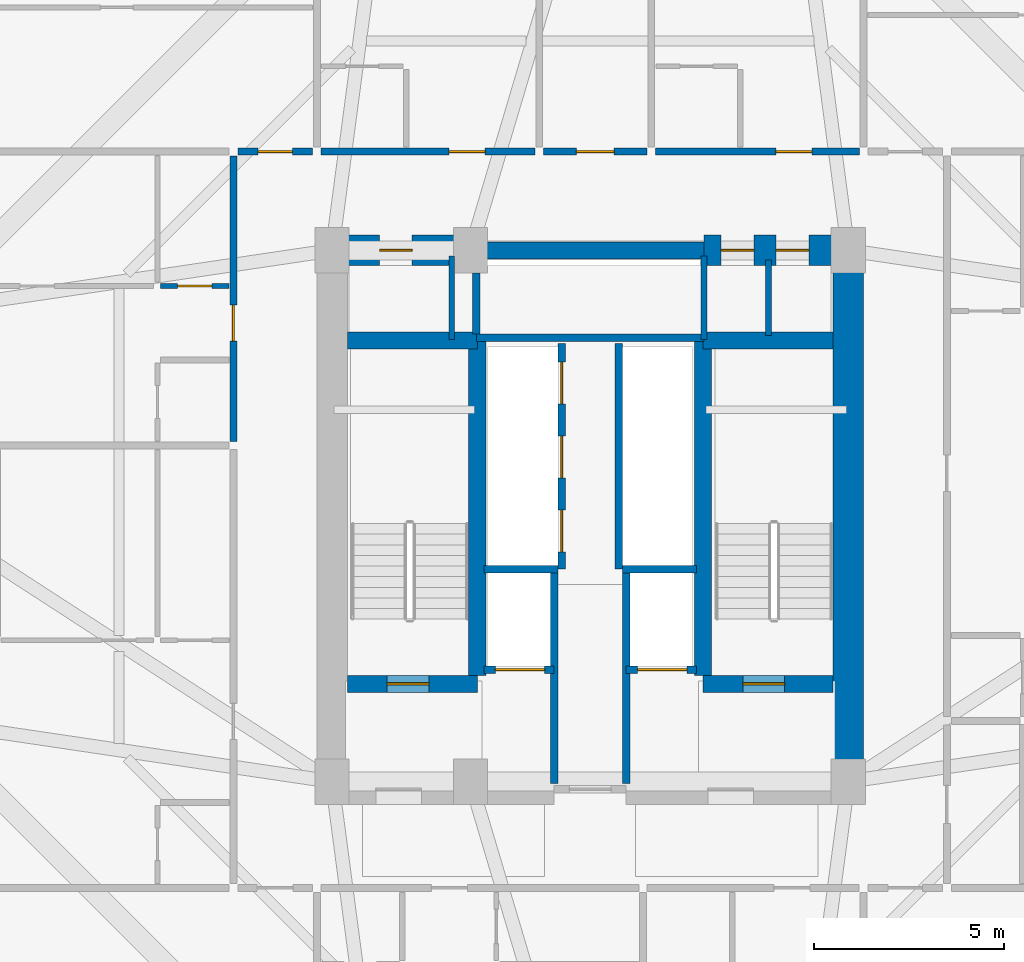
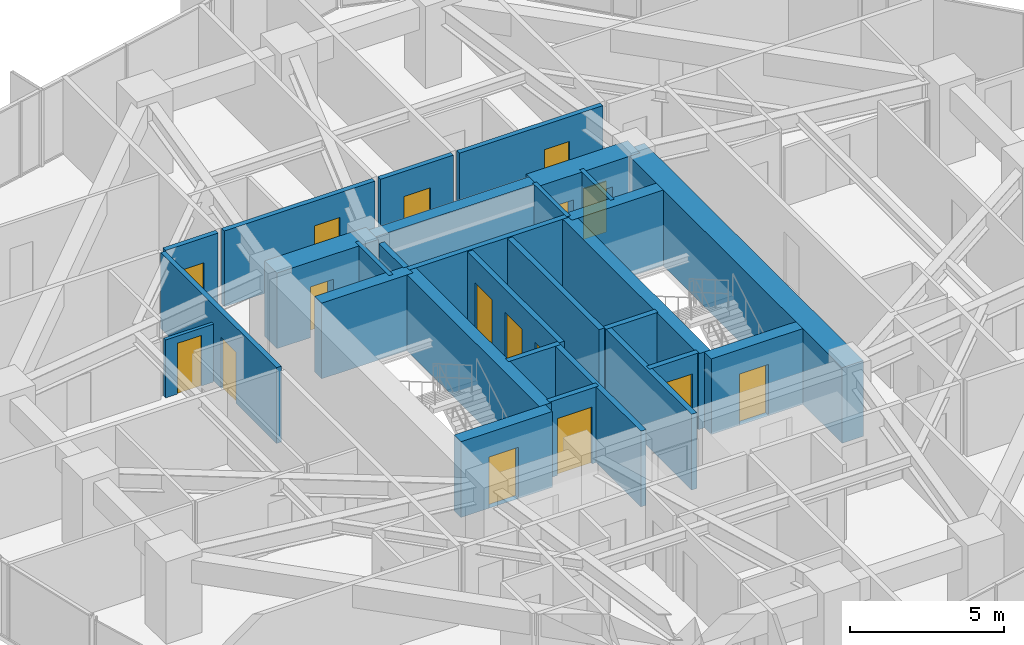
# One storey, part 35 of 39: 29 walls, 16 doors, 16 openings.
"""IFC4 building model written with IfcOpenShell, lengths in metres."""

import ifcopenshell
import ifcopenshell.guid

model = None  # the IFC model being written
_history = None  # IfcOwnerHistory: only IFC2X3 demands one
_inside = {}  # id of a spatial element -> (the spatial element, [elements in it])
_under = {}  # id of a project, library or spatial element -> (it, [spatial elements below it])
_declared = {}  # id of a project -> (the project, [libraries it declares])
_typed = {}  # id of a type object -> (the type object, [elements of that type])
_made_of = {}  # id of a material, layer set ... -> (it, [elements and type objects made of it])


def new_model(schema):
    """Start an empty IFC model of exactly this schema.

    Asked for "IFC4X3", IfcOpenShell would pick the latest addendum, in which some entities
    have other attributes; the version numbers below select the first issue.
    IFC2X3 requires an IfcOwnerHistory on every rooted entity: one is made here for all.
    """
    global model, _history
    if schema == "IFC4X3":
        model = ifcopenshell.file(schema_version=(4, 3, 0, 0))
    else:
        model = ifcopenshell.file(schema=schema)
    _inside.clear()
    _under.clear()
    _declared.clear()
    _typed.clear()
    _made_of.clear()
    _history = None
    if model.schema == "IFC2X3":
        org = make("IfcOrganization", Name="unknown")
        user = make(
            "IfcPersonAndOrganization",
            ThePerson=make("IfcPerson", FamilyName="unknown"),
            TheOrganization=org,
        )
        app = make(
            "IfcApplication",
            ApplicationDeveloper=org,
            Version="unknown",
            ApplicationFullName="unknown",
            ApplicationIdentifier="unknown",
        )
        _history = make(
            "IfcOwnerHistory",
            OwningUser=user,
            OwningApplication=app,
            ChangeAction="ADDED",
            CreationDate=0,
        )
    return model


def make(cls, **values):
    """One entity of the class cls with the attributes given. An attribute that is None is left unset."""
    return model.create_entity(
        cls, **{name: value for name, value in values.items() if value is not None}
    )


def rooted(cls, **values):
    """An entity with a GlobalId (a new one), such as an element, a storey or a relation."""
    return make(cls, GlobalId=ifcopenshell.guid.new(), OwnerHistory=_history, **values)


def si_unit(unit_type, name, prefix=None):
    """IfcSIUnit, for example si_unit("LENGTHUNIT", "METRE", prefix="MILLI")."""
    return make("IfcSIUnit", UnitType=unit_type, Prefix=prefix, Name=name)


def assignment(units):
    """IfcUnitAssignment: the units of a project."""
    return None if units is None else make("IfcUnitAssignment", Units=units)


def point(xyz):
    """IfcCartesianPoint."""
    return None if xyz is None else make("IfcCartesianPoint", Coordinates=xyz)


def direction(xyz):
    """IfcDirection."""
    return None if xyz is None else make("IfcDirection", DirectionRatios=xyz)


def frame(location, z_axis=None, x_axis=None):
    """IfcAxis2Placement3D, a coordinate frame: its origin and axes. An axis left out is left unset."""
    return make(
        "IfcAxis2Placement3D",
        Location=point(location),
        Axis=direction(z_axis),
        RefDirection=direction(x_axis),
    )


def frame_2d(location, x_axis=None):
    """IfcAxis2Placement2D, a coordinate frame in the plane: its origin and x axis."""
    return make(
        "IfcAxis2Placement2D", Location=point(location), RefDirection=direction(x_axis)
    )


def origin():
    """The frame at (0, 0, 0) with its axes left unset."""
    return frame((0.0, 0.0, 0.0))


def place(relative_to, where):
    """IfcLocalPlacement: puts the frame where relative to a parent placement (None: the world)."""
    return make(
        "IfcLocalPlacement", PlacementRelTo=relative_to, RelativePlacement=where
    )


def context(
    kind, dimensions, precision=None, world=None, true_north=None, identifier=None
):
    """IfcGeometricRepresentationContext, for example the 3D "Model" context."""
    return make(
        "IfcGeometricRepresentationContext",
        ContextIdentifier=identifier,
        ContextType=kind,
        CoordinateSpaceDimension=dimensions,
        Precision=precision,
        WorldCoordinateSystem=world,
        TrueNorth=true_north,
    )


def subcontext(parent, identifier, kind, view, scale=None):
    """IfcGeometricRepresentationSubContext, for example "Body" below "Model"."""
    return make(
        "IfcGeometricRepresentationSubContext",
        ContextIdentifier=identifier,
        ContextType=kind,
        ParentContext=parent,
        TargetScale=scale,
        TargetView=view,
    )


def project(units=None, contexts=None):
    """IfcProject with its units and contexts."""
    return rooted(
        "IfcProject",
        Name="project",
        RepresentationContexts=contexts,
        UnitsInContext=assignment(units),
    )


def spatial(cls, under=None, at=None, **own):
    """A site, building, storey or space (cls), placed at a placement, below another one or the project."""
    s = rooted(cls, ObjectPlacement=at, **own)
    if under is not None:
        _under.setdefault(under.id(), (under, []))[1].append(s)
    return s


def profile(cls, at=None, kind="AREA", **sizes):
    """A parametric profile (cls). Its sizes go by their IFC names, for example OverallWidth=200.0."""
    return make(cls, ProfileType=kind, Position=at, **sizes)


def rectangle(**sizes):
    """IfcRectangleProfileDef."""
    return profile("IfcRectangleProfileDef", **sizes)


def extrude(swept, where, along, depth):
    """IfcExtrudedAreaSolid: the profile swept, set in the frame where, extruded along a direction by depth."""
    return make(
        "IfcExtrudedAreaSolid",
        SweptArea=swept,
        Position=where,
        ExtrudedDirection=direction(along),
        Depth=depth,
    )


def shape(context_of_items, identifier, shape_type, items):
    """IfcShapeRepresentation: the items that make up one representation, for example the "Body"."""
    return make(
        "IfcShapeRepresentation",
        ContextOfItems=context_of_items,
        RepresentationIdentifier=identifier,
        RepresentationType=shape_type,
        Items=items,
    )


def source(mapping_origin, context_of_items, identifier, shape_type, items):
    """IfcRepresentationMap: a shape defined once, which mapped items show again and again."""
    return make(
        "IfcRepresentationMap",
        MappingOrigin=mapping_origin,
        MappedRepresentation=shape(context_of_items, identifier, shape_type, items),
    )


def transform(
    local_origin,
    x_axis=None,
    y_axis=None,
    z_axis=None,
    scale=None,
    scale2=None,
    scale3=None,
    uniform=True,
):
    """IfcCartesianTransformationOperator3D, or its non-uniform kind. x_axis, y_axis, z_axis: its Axis1, 2, 3."""
    if uniform:
        return make(
            "IfcCartesianTransformationOperator3D",
            Axis1=direction(x_axis),
            Axis2=direction(y_axis),
            LocalOrigin=point(local_origin),
            Scale=scale,
            Axis3=direction(z_axis),
        )
    return make(
        "IfcCartesianTransformationOperator3DnonUniform",
        Axis1=direction(x_axis),
        Axis2=direction(y_axis),
        LocalOrigin=point(local_origin),
        Scale=scale,
        Axis3=direction(z_axis),
        Scale2=scale2,
        Scale3=scale3,
    )


def mapped(mapping_source, mapping_target):
    """IfcMappedItem: shows the shape of a source again, moved by a transform."""
    return make(
        "IfcMappedItem", MappingSource=mapping_source, MappingTarget=mapping_target
    )


def material(Name=None, Category=None):
    """IfcMaterial."""
    return make("IfcMaterial", Name=Name, Category=Category)


def layer(
    of_material, thickness, ventilated=None, Name=None, Category=None, Priority=None
):
    """IfcMaterialLayer: one layer of a wall or slab, of a material (None: an air gap)."""
    return make(
        "IfcMaterialLayer",
        Material=of_material,
        LayerThickness=thickness,
        IsVentilated=ventilated,
        Name=Name,
        Category=Category,
        Priority=Priority,
    )


def layer_set(layers, Name=None):
    """IfcMaterialLayerSet."""
    return make("IfcMaterialLayerSet", MaterialLayers=layers, LayerSetName=Name)


def made_of(thing, what):
    """Note that an element or type object is made of a material, layer set ...; save() writes the relation."""
    if what is not None:
        _made_of.setdefault(what.id(), (what, []))[1].append(thing)
    return thing


def type_object(cls, material=None, **own):
    """A type object (cls), such as IfcWallType, which elements share."""
    return made_of(rooted(cls, **own), material)


def element(
    cls,
    number,
    at=None,
    inside=None,
    cuts=None,
    type_object=None,
    material=None,
    context=None,
    identifier="Body",
    shape_type=None,
    held_by="IfcProductDefinitionShape",
    body=None,
    shapes=None,
    **own,
):
    """One element of the class cls, such as IfcWall. Its Tag is "e" and its number.

    at: its placement. inside: the storey or other place that contains it. cuts: it is an
    opening in that element (IfcRelVoidsElement). A single representation is given by context,
    identifier, shape_type and body (its items); several are given by shapes. held_by: the class
    of the entity that holds the representations. save() writes the other relations.
    """
    e = rooted(cls, Tag="e%d" % number, ObjectPlacement=at, **own)
    if body is not None:
        shapes = [shape(context, identifier, shape_type, body)]
    if shapes is not None:
        e.Representation = make(held_by, Representations=shapes)
    if inside is not None:
        _inside.setdefault(inside.id(), (inside, []))[1].append(e)
    if cuts is not None:
        rooted(
            "IfcRelVoidsElement", RelatingBuildingElement=cuts, RelatedOpeningElement=e
        )
    if type_object is not None:
        _typed.setdefault(type_object.id(), (type_object, []))[1].append(e)
    return made_of(e, material)


def fill(opening, filler):
    """IfcRelFillsElement: the door or window that sits in an opening."""
    return rooted(
        "IfcRelFillsElement",
        RelatingOpeningElement=opening,
        RelatedBuildingElement=filler,
    )


def aggregate(whole, parts):
    """IfcRelAggregates: a whole, such as a stair, and the parts it consists of."""
    return rooted("IfcRelAggregates", RelatingObject=whole, RelatedObjects=parts)


def save(model, path):
    """Write the relations noted so far, then the file.

    IfcRelAggregates (storeys below a building ...), IfcRelContainedInSpatialStructure (elements
    in a storey), IfcRelDefinesByType, IfcRelAssociatesMaterial and IfcRelDeclares: one each for
    every whole, place, type object, material and project.
    """
    for whole, parts in _under.values():
        aggregate(whole, parts)
    for where, things in _inside.values():
        rooted(
            "IfcRelContainedInSpatialStructure",
            RelatedElements=things,
            RelatingStructure=where,
        )
    for kind, things in _typed.values():
        rooted("IfcRelDefinesByType", RelatedObjects=things, RelatingType=kind)
    for what, things in _made_of.values():
        rooted("IfcRelAssociatesMaterial", RelatedObjects=things, RelatingMaterial=what)
    for by, libraries in _declared.values():
        rooted("IfcRelDeclares", RelatingContext=by, RelatedDefinitions=libraries)
    model.write(path)


model = new_model("IFC4")

# Units and contexts
model_context = context("Model", 3, precision=1e-05, world=origin(), true_north=direction((0.0, 1.0)))
body_context = subcontext(model_context, "Body", "Model", "MODEL_VIEW")
ifc_project = project(units=[si_unit("LENGTHUNIT", "METRE"), si_unit("AREAUNIT", "SQUARE_METRE"), si_unit("VOLUMEUNIT", "CUBIC_METRE"), si_unit("PLANEANGLEUNIT", "RADIAN"), si_unit("MASSUNIT", "GRAM", prefix="KILO")], contexts=[model_context])

# Site, building, storey
site_placement = place(None, origin())
site = spatial("IfcSite", under=ifc_project, at=site_placement, CompositionType="ELEMENT")
building_placement = place(site_placement, origin())
building = spatial("IfcBuilding", under=site, at=building_placement, Name="Veraguas Prism Commons", CompositionType="ELEMENT")
storey_placement = place(building_placement, frame((0.0, 0.0, 67.35009765625)))
storey = spatial("IfcBuildingStorey", under=building, at=storey_placement, Name="L18", CompositionType="ELEMENT", Elevation=67.35009765625)

# Wall
ifc_material_1 = material(Name="Concrete C60/75", Category="concrete")
ifc_layer_1 = layer(ifc_material_1, 0.449951171875, Name="Core Internal Shear Wall Lower RC 450", Category="concrete")
ifc_layer_set_1 = layer_set([ifc_layer_1], Name="Concrete C60/75")
wall_type_1 = type_object("IfcWallType", Name="Core Internal Shear Wall Lower RC 450", PredefinedType="SHEAR", material=ifc_layer_set_1)
wall_1_placement = place(storey_placement, frame((21.0, 31.0, 0.0), z_axis=(0.0, 0.0, 1.0), x_axis=(1.0, 0.0, 0.0)))
element("IfcWall", 1, at=wall_1_placement, inside=storey, type_object=wall_type_1, Name="High-Rise Lift Bank Front Shear Wall L18", PredefinedType="SHEAR", context=body_context, shape_type="SweptSolid", body=[
    extrude(rectangle(XDim=6.0, YDim=0.449951171875, at=frame_2d((3.0, 0.0))), origin(), (0.0, 0.0, 1.0), 3.0),
])

# Wall, opening, door
wall_2_placement = place(storey_placement, frame((17.60009765625, 19.574951171875, 0.0), z_axis=(0.0, 0.0, 1.0), x_axis=(1.0, 0.0, 0.0)))
wall_2 = element("IfcWall", 2, at=wall_2_placement, inside=storey, type_object=wall_type_1, Name="Stair ST-01 South Shear Wall L18", PredefinedType="SHEAR", context=body_context, shape_type="SweptSolid", body=[
    extrude(rectangle(XDim=3.4248046875, YDim=0.449951171875, at=frame_2d((1.71240234375, 0.0))), origin(), (0.0, 0.0, 1.0), 3.0),
])
opening_1_placement = place(wall_2_placement, frame((1.050048828125, 0.0, 0.0)))
opening_1 = element("IfcOpeningElement", 3, at=opening_1_placement, cuts=wall_2, Name="Opening DR-05", PredefinedType="OPENING", context=body_context, shape_type="SweptSolid", body=[
    extrude(rectangle(XDim=1.10009765625, YDim=2.030029296875, at=frame_2d((0.550048828125, 1.01513671875))), frame((0.0, 0.23486328125, 0.0), z_axis=(0.0, -1.0, 0.0), x_axis=(1.0, 0.0, 0.0)), (0.0, 0.0, 1.0), 0.469970703125),
])
ifc_material_2 = material(Name="Steel fire-rated door assembly", Category="steel")
door_type_1 = type_object("IfcDoorType", Name="Protected Stair and Refuge Fire Door 1100x2030", OperationType="NOTDEFINED", PredefinedType="DOOR", material=ifc_material_2)
shared_shape_1 = source(origin(), body_context, "Body", "SweptSolid", [
    extrude(rectangle(XDim=1.10009765625, YDim=2.030029296875, at=frame_2d((0.550048828125, 1.01513671875))), frame((0.0, 0.02490234375, 0.0), z_axis=(0.0, -1.0, 0.0), x_axis=(1.0, 0.0, 0.0)), (0.0, 0.0, 1.0), 0.050048828125),
])
door_1_placement = place(opening_1_placement, origin())
door_1 = element("IfcDoor", 4, at=door_1_placement, inside=storey, type_object=door_type_1, Name="Stair ST-01 Enclosure Door L18", OperationType="SINGLE_SWING_RIGHT", OverallHeight=2.030029296875, OverallWidth=1.10009765625, PredefinedType="DOOR", context=body_context, shape_type="MappedRepresentation", body=[
    mapped(shared_shape_1, transform((0.0, 0.0, 0.0), scale=1.0)),
])
fill(opening_1, door_1)

wall_3_placement = place(storey_placement, frame((26.97509765625, 19.574951171875, 0.0), z_axis=(0.0, 0.0, 1.0), x_axis=(1.0, 0.0, 0.0)))
wall_3 = element("IfcWall", 5, at=wall_3_placement, inside=storey, type_object=wall_type_1, Name="Stair ST-02 South Shear Wall L18", PredefinedType="SHEAR", context=body_context, shape_type="SweptSolid", body=[
    extrude(rectangle(XDim=3.4248046875, YDim=0.449951171875, at=frame_2d((1.71240234375, 0.0))), origin(), (0.0, 0.0, 1.0), 3.0),
])
opening_2_placement = place(wall_3_placement, frame((1.050048828125, 0.0, 0.0)))
opening_2 = element("IfcOpeningElement", 6, at=opening_2_placement, cuts=wall_3, Name="Opening DR-05", PredefinedType="OPENING", context=body_context, shape_type="SweptSolid", body=[
    extrude(rectangle(XDim=1.10009765625, YDim=2.030029296875, at=frame_2d((0.550048828125, 1.01513671875))), frame((0.0, 0.23486328125, 0.0), z_axis=(0.0, -1.0, 0.0), x_axis=(1.0, 0.0, 0.0)), (0.0, 0.0, 1.0), 0.469970703125),
])
door_2_placement = place(opening_2_placement, origin())
door_2 = element("IfcDoor", 7, at=door_2_placement, inside=storey, type_object=door_type_1, Name="Stair ST-02 Enclosure Door L18", OperationType="SINGLE_SWING_LEFT", OverallHeight=2.030029296875, OverallWidth=1.10009765625, PredefinedType="DOOR", context=body_context, shape_type="MappedRepresentation", body=[
    mapped(shared_shape_1, transform((0.0, 0.0, 0.0), scale=1.0)),
])
fill(opening_2, door_2)

# Walls
for number, where, z_axis, x_axis, name in (
    (8, (21.02490234375, 19.800048828125, 0.0), (0.0, 0.0, 1.0), (0.0, 1.0, 0.0), "Stair ST-01 Inner Shear Wall L18"),
    (9, (26.97509765625, 19.800048828125, 0.0), (0.0, 0.0, 1.0), (0.0, 1.0, 0.0), "Stair ST-02 Inner Shear Wall L18"),
):
    element("IfcWall", number, at=place(storey_placement, frame(where, z_axis=z_axis, x_axis=x_axis)), inside=storey, type_object=wall_type_1, Name=name, PredefinedType="SHEAR", context=body_context, shape_type="SweptSolid", body=[
        extrude(rectangle(XDim=8.824951171875, YDim=0.449951171875, at=frame_2d((4.41259765625, 0.0))), origin(), (0.0, 0.0, 1.0), 3.0),
    ])
for number, where, z_axis, x_axis, name in (
    (10, (17.60009765625, 28.625, 0.0), (0.0, 0.0, 1.0), (1.0, 0.0, 0.0), "Stair ST-01 North Shear Wall L18"),
    (11, (26.97509765625, 28.625, 0.0), (0.0, 0.0, 1.0), (1.0, 0.0, 0.0), "Stair ST-02 North Shear Wall L18"),
):
    element("IfcWall", number, at=place(storey_placement, frame(where, z_axis=z_axis, x_axis=x_axis)), inside=storey, type_object=wall_type_1, Name=name, PredefinedType="SHEAR", context=body_context, shape_type="SweptSolid", body=[
        extrude(rectangle(XDim=3.4248046875, YDim=0.449951171875, at=frame_2d((1.71240234375, 0.0))), origin(), (0.0, 0.0, 1.0), 3.0),
    ])
ifc_layer_2 = layer(ifc_material_1, 0.800048828125, Name="Core Outer Shear Wall Lower RC 800", Category="concrete")
ifc_layer_set_2 = layer_set([ifc_layer_2], Name="Concrete C60/75")
wall_type_2 = type_object("IfcWallType", Name="Core Outer Shear Wall Lower RC 800", PredefinedType="SHEAR", material=ifc_layer_set_2)
wall_4_placement = place(storey_placement, frame((30.800048828125, 16.800048828125, 0.0), z_axis=(0.0, 0.0, 1.0), x_axis=(0.0, 1.0, 0.0)))
element("IfcWall", 12, at=wall_4_placement, inside=storey, type_object=wall_type_2, Name="Central Core East Shear Wall L18", PredefinedType="SHEAR", context=body_context, shape_type="SweptSolid", body=[
    extrude(rectangle(XDim=14.199951171875, YDim=0.800048828125, at=frame_2d((7.10009765625, 0.0))), origin(), (0.0, 0.0, 1.0), 3.0),
])

# Wall, opening, door
wall_5_placement = place(storey_placement, frame((17.199951171875, 31.0, 0.0), z_axis=(0.0, 0.0, 1.0), x_axis=(1.0, 0.0, 0.0)))
wall_5 = element("IfcWall", 13, at=wall_5_placement, inside=storey, type_object=wall_type_2, Name="Central Core North-West Shear Wall L18", PredefinedType="SHEAR", context=body_context, shape_type="SweptSolid", body=[
    extrude(rectangle(XDim=3.800048828125, YDim=0.800048828125, at=frame_2d((1.89990234375, 0.0))), origin(), (0.0, 0.0, 1.0), 3.0),
])
opening_3_placement = place(wall_5_placement, frame((1.25, 0.0, 0.0)))
opening_3 = element("IfcOpeningElement", 14, at=opening_3_placement, cuts=wall_5, Name="Opening DR-12", PredefinedType="OPENING", context=body_context, shape_type="SweptSolid", body=[
    extrude(rectangle(XDim=0.860107421875, YDim=2.010009765625, at=frame_2d((0.43017578125, 1.0048828125))), frame((0.0, 0.409912109375, 0.0), z_axis=(0.0, -1.0, 0.0), x_axis=(1.0, 0.0, 0.0)), (0.0, 0.0, 1.0), 0.820068359375),
])
door_type_2 = type_object("IfcDoorType", Name="Core WC Fire Door 860x2010", OperationType="NOTDEFINED", PredefinedType="DOOR", material=ifc_material_2)
shared_shape_2 = source(origin(), body_context, "Body", "SweptSolid", [
    extrude(rectangle(XDim=0.860107421875, YDim=2.010009765625, at=frame_2d((0.43017578125, 1.0048828125))), frame((0.0, 0.02490234375, 0.0), z_axis=(0.0, -1.0, 0.0), x_axis=(1.0, 0.0, 0.0)), (0.0, 0.0, 1.0), 0.050048828125),
])
door_3_placement = place(opening_3_placement, origin())
door_3 = element("IfcDoor", 15, at=door_3_placement, inside=storey, type_object=door_type_2, Name="Core NW Service Door L18", OperationType="SINGLE_SWING_LEFT", OverallHeight=2.010009765625, OverallWidth=0.860107421875, PredefinedType="DOOR", context=body_context, shape_type="MappedRepresentation", body=[
    mapped(shared_shape_2, transform((0.0, 0.0, 0.0), scale=1.0)),
])
fill(opening_3, door_3)

# Wall, openings, doors
wall_6_placement = place(storey_placement, frame((27.0, 31.0, 0.0), z_axis=(0.0, 0.0, 1.0), x_axis=(1.0, 0.0, 0.0)))
wall_6 = element("IfcWall", 16, at=wall_6_placement, inside=storey, type_object=wall_type_2, Name="Central Core North-East Shear Wall L18", PredefinedType="SHEAR", context=body_context, shape_type="SweptSolid", body=[
    extrude(rectangle(XDim=3.800048828125, YDim=0.800048828125, at=frame_2d((1.89990234375, 0.0))), origin(), (0.0, 0.0, 1.0), 3.0),
])
opening_4_placement = place(wall_6_placement, frame((0.449951171875, 0.0, 0.0)))
opening_4 = element("IfcOpeningElement", 17, at=opening_4_placement, cuts=wall_6, Name="Opening DR-12", PredefinedType="OPENING", context=body_context, shape_type="SweptSolid", body=[
    extrude(rectangle(XDim=0.860107421875, YDim=2.010009765625, at=frame_2d((0.43017578125, 1.0048828125))), frame((0.0, 0.409912109375, 0.0), z_axis=(0.0, -1.0, 0.0), x_axis=(1.0, 0.0, 0.0)), (0.0, 0.0, 1.0), 0.820068359375),
])
opening_5_placement = place(wall_6_placement, frame((1.89990234375, 0.0, 0.0)))
opening_5 = element("IfcOpeningElement", 18, at=opening_5_placement, cuts=wall_6, Name="Opening DR-12", PredefinedType="OPENING", context=body_context, shape_type="SweptSolid", body=[
    extrude(rectangle(XDim=0.860107421875, YDim=2.010009765625, at=frame_2d((0.43017578125, 1.0048828125))), frame((0.0, 0.409912109375, 0.0), z_axis=(0.0, -1.0, 0.0), x_axis=(1.0, 0.0, 0.0)), (0.0, 0.0, 1.0), 0.820068359375),
])
door_4_placement = place(opening_4_placement, origin())
door_4 = element("IfcDoor", 19, at=door_4_placement, inside=storey, type_object=door_type_2, Name="Core NE Room A Door L18", OperationType="SINGLE_SWING_RIGHT", OverallHeight=2.010009765625, OverallWidth=0.860107421875, PredefinedType="DOOR", context=body_context, shape_type="MappedRepresentation", body=[
    mapped(shared_shape_2, transform((0.0, 0.0, 0.0), scale=1.0)),
])
fill(opening_4, door_4)
door_5_placement = place(opening_5_placement, origin())
door_5 = element("IfcDoor", 20, at=door_5_placement, inside=storey, type_object=door_type_2, Name="Core NE Room B Door L18", OperationType="SINGLE_SWING_LEFT", OverallHeight=2.010009765625, OverallWidth=0.860107421875, PredefinedType="DOOR", context=body_context, shape_type="MappedRepresentation", body=[
    mapped(shared_shape_2, transform((0.0, 0.0, 0.0), scale=1.0)),
])
fill(opening_5, door_5)

# Wall, opening, door
ifc_material_3 = material(Name="Autoclaved aerated masonry block 10 MPa", Category="masonry")
ifc_layer_3 = layer(ifc_material_3, 0.179931640625, Name="Corridor and Inter-Tenancy Partition 180", Category="masonry")
ifc_layer_set_3 = layer_set([ifc_layer_3], Name="Autoclaved aerated masonry block 10 MPa")
wall_type_3 = type_object("IfcWallType", Name="Corridor and Inter-Tenancy Partition 180", PredefinedType="PARTITIONING", material=ifc_layer_set_3)
wall_7_placement = place(storey_placement, frame((22.76806640625, 33.60009765625, 0.0), z_axis=(0.0, 0.0, 1.0), x_axis=(1.0, 0.0, 0.0)))
wall_7 = element("IfcWall", 21, at=wall_7_placement, inside=storey, type_object=wall_type_3, Name="WL-L18-PT017", PredefinedType="PARTITIONING", context=body_context, shape_type="SweptSolid", body=[
    extrude(rectangle(XDim=2.72998046875, YDim=0.179931640625, at=frame_2d((1.364990234375, 0.0))), origin(), (0.0, 0.0, 1.0), 3.0),
])
opening_6_placement = place(wall_7_placement, frame((0.864990234375, 0.0, 0.0)))
opening_6 = element("IfcOpeningElement", 22, at=opening_6_placement, cuts=wall_7, Name="Opening DR-13", PredefinedType="OPENING", context=body_context, shape_type="SweptSolid", body=[
    extrude(rectangle(XDim=1.0, YDim=2.010009765625, at=frame_2d((0.5, 1.0048828125))), frame((0.0, 0.099853515625, 0.0), z_axis=(0.0, -1.0, 0.0), x_axis=(1.0, 0.0, 0.0)), (0.0, 0.0, 1.0), 0.199951171875),
])
door_type_3 = type_object("IfcDoorType", Name="Core Accessible WC and Clinic Fire Door 1000x2010", OperationType="NOTDEFINED", PredefinedType="DOOR", material=ifc_material_2)
shared_shape_3 = source(origin(), body_context, "Body", "SweptSolid", [
    extrude(rectangle(XDim=1.0, YDim=2.010009765625, at=frame_2d((0.5, 1.0048828125))), frame((0.0, 0.02490234375, 0.0), z_axis=(0.0, -1.0, 0.0), x_axis=(1.0, 0.0, 0.0)), (0.0, 0.0, 1.0), 0.050048828125),
])
door_6_placement = place(opening_6_placement, origin())
door_6 = element("IfcDoor", 23, at=door_6_placement, inside=storey, type_object=door_type_3, Name="Quiet Study N Door", OperationType="SINGLE_SWING_LEFT", OverallHeight=2.010009765625, OverallWidth=1.0, PredefinedType="DOOR", context=body_context, shape_type="MappedRepresentation", body=[
    mapped(shared_shape_3, transform((0.0, 0.0, 0.0), scale=1.0)),
])
fill(opening_6, door_6)

wall_8_placement = place(storey_placement, frame((16.909912109375, 33.60009765625, 0.0), z_axis=(0.0, 0.0, 1.0), x_axis=(1.0, 0.0, 0.0)))
wall_8 = element("IfcWall", 24, at=wall_8_placement, inside=storey, type_object=wall_type_3, Name="WL-L18-PT019", PredefinedType="PARTITIONING", context=body_context, shape_type="SweptSolid", body=[
    extrude(rectangle(XDim=5.63818359375, YDim=0.179931640625, at=frame_2d((2.819091796875, 0.0))), origin(), (0.0, 0.0, 1.0), 3.0),
])
opening_7_placement = place(wall_8_placement, frame((3.373046875, 0.0, 0.0)))
opening_7 = element("IfcOpeningElement", 25, at=opening_7_placement, cuts=wall_8, Name="Opening DR-01", PredefinedType="OPENING", context=body_context, shape_type="SweptSolid", body=[
    extrude(rectangle(XDim=0.949951171875, YDim=2.02001953125, at=frame_2d((0.47509765625, 1.010009765625))), frame((0.0, 0.099853515625, 0.0), z_axis=(0.0, -1.0, 0.0), x_axis=(1.0, 0.0, 0.0)), (0.0, 0.0, 1.0), 0.199951171875),
])
ifc_material_4 = material(Name="Anodised aluminium EN AW-6063 T6", Category="aluminium")
door_type_4 = type_object("IfcDoorType", Name="Apartment Entrance Fire Door 950x2020", OperationType="NOTDEFINED", PredefinedType="DOOR", material=ifc_material_4)
shared_shape_4 = source(origin(), body_context, "Body", "SweptSolid", [
    extrude(rectangle(XDim=0.949951171875, YDim=2.02001953125, at=frame_2d((0.47509765625, 1.010009765625))), frame((0.0, 0.02490234375, 0.0), z_axis=(0.0, -1.0, 0.0), x_axis=(1.0, 0.0, 0.0)), (0.0, 0.0, 1.0), 0.050048828125),
])
door_7_placement = place(opening_7_placement, origin())
door_7 = element("IfcDoor", 26, at=door_7_placement, inside=storey, type_object=door_type_4, Name="Studio 18C Entrance Door", OperationType="SINGLE_SWING_RIGHT", OverallHeight=2.02001953125, OverallWidth=0.949951171875, PredefinedType="DOOR", context=body_context, shape_type="MappedRepresentation", body=[
    mapped(shared_shape_4, transform((0.0, 0.0, 0.0), scale=1.0)),
])
fill(opening_7, door_7)

wall_9_placement = place(storey_placement, frame((25.718017578125, 33.60009765625, 0.0), z_axis=(0.0, 0.0, 1.0), x_axis=(1.0, 0.0, 0.0)))
wall_9 = element("IfcWall", 27, at=wall_9_placement, inside=storey, type_object=wall_type_3, Name="WL-L18-PT023", PredefinedType="PARTITIONING", context=body_context, shape_type="SweptSolid", body=[
    extrude(rectangle(XDim=5.3720703125, YDim=0.179931640625, at=frame_2d((2.68603515625, 0.0))), origin(), (0.0, 0.0, 1.0), 3.0),
])
opening_8_placement = place(wall_9_placement, frame((3.17626953125, 0.0, 0.0)))
opening_8 = element("IfcOpeningElement", 28, at=opening_8_placement, cuts=wall_9, Name="Opening DR-01", PredefinedType="OPENING", context=body_context, shape_type="SweptSolid", body=[
    extrude(rectangle(XDim=0.949951171875, YDim=2.02001953125, at=frame_2d((0.47509765625, 1.010009765625))), frame((0.0, 0.099853515625, 0.0), z_axis=(0.0, -1.0, 0.0), x_axis=(1.0, 0.0, 0.0)), (0.0, 0.0, 1.0), 0.199951171875),
])
door_8_placement = place(opening_8_placement, origin())
door_8 = element("IfcDoor", 29, at=door_8_placement, inside=storey, type_object=door_type_4, Name="Studio 18D Entrance Door", OperationType="SINGLE_SWING_RIGHT", OverallHeight=2.02001953125, OverallWidth=0.949951171875, PredefinedType="DOOR", context=body_context, shape_type="MappedRepresentation", body=[
    mapped(shared_shape_4, transform((0.0, 0.0, 0.0), scale=1.0)),
])
fill(opening_8, door_8)

wall_10_placement = place(storey_placement, frame((14.60009765625, 25.968017578125, 0.0), z_axis=(0.0, 0.0, 1.0), x_axis=(0.0, 1.0, 0.0)))
wall_10 = element("IfcWall", 30, at=wall_10_placement, inside=storey, type_object=wall_type_3, Name="WL-L18-PT037", PredefinedType="PARTITIONING", context=body_context, shape_type="SweptSolid", body=[
    extrude(rectangle(XDim=7.52197265625, YDim=0.179931640625, at=frame_2d((3.760986328125, 0.0))), origin(), (0.0, 0.0, 1.0), 3.0),
])
opening_9_placement = place(wall_10_placement, frame((2.639892578125, 0.0, 0.0)))
opening_9 = element("IfcOpeningElement", 31, at=opening_9_placement, cuts=wall_10, Name="Opening DR-01", PredefinedType="OPENING", context=body_context, shape_type="SweptSolid", body=[
    extrude(rectangle(XDim=0.949951171875, YDim=2.02001953125, at=frame_2d((0.47509765625, 1.010009765625))), frame((0.0, 0.099853515625, 0.0), z_axis=(0.0, -1.0, 0.0), x_axis=(1.0, 0.0, 0.0)), (0.0, 0.0, 1.0), 0.199951171875),
])
door_9_placement = place(opening_9_placement, origin())
door_9 = element("IfcDoor", 32, at=door_9_placement, inside=storey, type_object=door_type_4, Name="Flat 18F Entrance Door", OperationType="SINGLE_SWING_LEFT", OverallHeight=2.02001953125, OverallWidth=0.949951171875, PredefinedType="DOOR", context=body_context, shape_type="MappedRepresentation", body=[
    mapped(shared_shape_4, transform((0.0, 0.0, 0.0), scale=1.0)),
])
fill(opening_9, door_9)

wall_11_placement = place(storey_placement, frame((14.719970703125, 33.60009765625, 0.0), z_axis=(0.0, 0.0, 1.0), x_axis=(1.0, 0.0, 0.0)))
wall_11 = element("IfcWall", 33, at=wall_11_placement, inside=storey, type_object=wall_type_3, Name="WL-L18-PT065", PredefinedType="PARTITIONING", context=body_context, shape_type="SweptSolid", body=[
    extrude(rectangle(XDim=1.9599609375, YDim=0.179931640625, at=frame_2d((0.97998046875, 0.0))), origin(), (0.0, 0.0, 1.0), 3.0),
])
opening_10_placement = place(wall_11_placement, frame((0.530029296875, 0.0, 0.0)))
opening_10 = element("IfcOpeningElement", 34, at=opening_10_placement, cuts=wall_11, Name="Opening DR-14", PredefinedType="OPENING", context=body_context, shape_type="SweptSolid", body=[
    extrude(rectangle(XDim=0.89990234375, YDim=2.010009765625, at=frame_2d((0.449951171875, 1.0048828125))), frame((0.0, 0.099853515625, 0.0), z_axis=(0.0, -1.0, 0.0), x_axis=(1.0, 0.0, 0.0)), (0.0, 0.0, 1.0), 0.199951171875),
])
door_type_5 = type_object("IfcDoorType", Name="Core Service Room Fire Door 900x2010", OperationType="NOTDEFINED", PredefinedType="DOOR", material=ifc_material_2)
shared_shape_5 = source(origin(), body_context, "Body", "SweptSolid", [
    extrude(rectangle(XDim=0.89990234375, YDim=2.010009765625, at=frame_2d((0.449951171875, 1.0048828125))), frame((0.0, 0.02490234375, 0.0), z_axis=(0.0, -1.0, 0.0), x_axis=(1.0, 0.0, 0.0)), (0.0, 0.0, 1.0), 0.050048828125),
])
door_10_placement = place(opening_10_placement, origin())
door_10 = element("IfcDoor", 35, at=door_10_placement, inside=storey, type_object=door_type_5, Name="Shared Laundry Room Door", OperationType="SINGLE_SWING_LEFT", OverallHeight=2.010009765625, OverallWidth=0.89990234375, PredefinedType="DOOR", context=body_context, shape_type="MappedRepresentation", body=[
    mapped(shared_shape_5, transform((0.0, 0.0, 0.0), scale=1.0)),
])
fill(opening_10, door_10)

ifc_material_5 = material(Name="Lightweight acoustic gypsum board")
ifc_layer_4 = layer(ifc_material_5, 0.125, Name="Internal Apartment Room Partition 125")
ifc_layer_set_4 = layer_set([ifc_layer_4], Name="Lightweight acoustic gypsum board")
wall_type_4 = type_object("IfcWallType", Name="Internal Apartment Room Partition 125", PredefinedType="PARTITIONING", material=ifc_layer_set_4)
wall_12_placement = place(storey_placement, frame((14.47998046875, 30.05810546875, 0.0), z_axis=(0.0, 0.0, 1.0), x_axis=(-1.0, 0.0, 0.0)))
wall_12 = element("IfcWall", 36, at=wall_12_placement, inside=storey, type_object=wall_type_4, Name="WL-L18-PT040", PredefinedType="PARTITIONING", context=body_context, shape_type="SweptSolid", body=[
    extrude(rectangle(XDim=1.800048828125, YDim=0.125, at=frame_2d((0.89990234375, 0.0))), origin(), (0.0, 0.0, 1.0), 2.298828125),
])
opening_11_placement = place(wall_12_placement, frame((0.449951171875, 0.0, 0.0)))
opening_11 = element("IfcOpeningElement", 37, at=opening_11_placement, cuts=wall_12, Name="Opening DR-02", PredefinedType="OPENING", context=body_context, shape_type="SweptSolid", body=[
    extrude(rectangle(XDim=0.89990234375, YDim=2.010009765625, at=frame_2d((0.449951171875, 1.0048828125))), frame((0.0, 0.072509765625, 0.0), z_axis=(0.0, -1.0, 0.0), x_axis=(1.0, 0.0, 0.0)), (0.0, 0.0, 1.0), 0.14501953125),
])
ifc_material_6 = material(Name="Timber solid core hardwood", Category="wood")
door_type_6 = type_object("IfcDoorType", Name="Internal Habitable Room Door 900x2010", OperationType="NOTDEFINED", PredefinedType="DOOR", material=ifc_material_6)
door_11_placement = place(opening_11_placement, origin())
door_11 = element("IfcDoor", 38, at=door_11_placement, inside=storey, type_object=door_type_6, Name="Flat 18F Kitchen Door", OperationType="SINGLE_SWING_LEFT", OverallHeight=2.010009765625, OverallWidth=0.89990234375, PredefinedType="DOOR", context=body_context, shape_type="MappedRepresentation", body=[
    mapped(shared_shape_5, transform((0.0, 0.0, 0.0), scale=1.0)),
])
fill(opening_11, door_11)

ifc_layer_5 = layer(ifc_material_3, 0.199951171875, Name="Rated Shaft and Lobby Block Wall 200", Category="masonry")
ifc_layer_set_5 = layer_set([ifc_layer_5], Name="Autoclaved aerated masonry block 10 MPa")
wall_type_5 = type_object("IfcWallType", Name="Rated Shaft and Lobby Block Wall 200", PredefinedType="SOLIDWALL", material=ifc_layer_set_5)
wall_13_placement = place(storey_placement, frame((21.199951171875, 19.949951171875, 0.0), z_axis=(0.0, 0.0, 1.0), x_axis=(1.0, 0.0, 0.0)))
wall_13 = element("IfcWall", 39, at=wall_13_placement, inside=storey, type_object=wall_type_5, Name="Firefighting Lift FFL-1 Front Wall L18", PredefinedType="SOLIDWALL", context=body_context, shape_type="SweptSolid", body=[
    extrude(rectangle(XDim=1.85009765625, YDim=0.199951171875, at=frame_2d((0.925048828125, 0.0))), origin(), (0.0, 0.0, 1.0), 3.0),
])
opening_12_placement = place(wall_13_placement, frame((0.300048828125, 0.0, 0.0)))
opening_12 = element("IfcOpeningElement", 40, at=opening_12_placement, cuts=wall_13, Name="Opening LD-02", PredefinedType="OPENING", context=body_context, shape_type="SweptSolid", body=[
    extrude(rectangle(XDim=1.300048828125, YDim=2.25, at=frame_2d((0.64990234375, 1.125))), frame((0.0, 0.10986328125, 0.0), z_axis=(0.0, -1.0, 0.0), x_axis=(1.0, 0.0, 0.0)), (0.0, 0.0, 1.0), 0.219970703125),
])
ifc_material_7 = material(Name="Stainless steel AISI 316", Category="steel")
door_type_7 = type_object("IfcDoorType", Name="Firefighting Lift Sliding Landing Door 1300x2250", OperationType="NOTDEFINED", PredefinedType="DOOR", material=ifc_material_7)
shared_shape_6 = source(origin(), body_context, "Body", "SweptSolid", [
    extrude(rectangle(XDim=1.300048828125, YDim=2.25, at=frame_2d((0.64990234375, 1.125))), frame((0.0, 0.02490234375, 0.0), z_axis=(0.0, -1.0, 0.0), x_axis=(1.0, 0.0, 0.0)), (0.0, 0.0, 1.0), 0.050048828125),
])
door_12_placement = place(opening_12_placement, origin())
door_12 = element("IfcDoor", 41, at=door_12_placement, inside=storey, type_object=door_type_7, Name="Firefighting Lift FFL-1 Landing Door L18", OperationType="SLIDING_TO_LEFT", OverallHeight=2.25, OverallWidth=1.300048828125, PredefinedType="DOOR", context=body_context, shape_type="MappedRepresentation", body=[
    mapped(shared_shape_6, transform((0.0, 0.0, 0.0), scale=1.0)),
])
fill(opening_12, door_12)

wall_14_placement = place(storey_placement, frame((24.949951171875, 19.949951171875, 0.0), z_axis=(0.0, 0.0, 1.0), x_axis=(1.0, 0.0, 0.0)))
wall_14 = element("IfcWall", 42, at=wall_14_placement, inside=storey, type_object=wall_type_5, Name="Firefighting Lift FFL-2 Front Wall L18", PredefinedType="SOLIDWALL", context=body_context, shape_type="SweptSolid", body=[
    extrude(rectangle(XDim=1.85009765625, YDim=0.199951171875, at=frame_2d((0.925048828125, 0.0))), origin(), (0.0, 0.0, 1.0), 3.0),
])
opening_13_placement = place(wall_14_placement, frame((0.300048828125, 0.0, 0.0)))
opening_13 = element("IfcOpeningElement", 43, at=opening_13_placement, cuts=wall_14, Name="Opening LD-02", PredefinedType="OPENING", context=body_context, shape_type="SweptSolid", body=[
    extrude(rectangle(XDim=1.300048828125, YDim=2.25, at=frame_2d((0.64990234375, 1.125))), frame((0.0, 0.10986328125, 0.0), z_axis=(0.0, -1.0, 0.0), x_axis=(1.0, 0.0, 0.0)), (0.0, 0.0, 1.0), 0.219970703125),
])
door_13_placement = place(opening_13_placement, origin())
door_13 = element("IfcDoor", 44, at=door_13_placement, inside=storey, type_object=door_type_7, Name="Firefighting Lift FFL-2 Front Wall L18", OperationType="SLIDING_TO_LEFT", OverallHeight=2.25, OverallWidth=1.300048828125, PredefinedType="DOOR", context=body_context, shape_type="MappedRepresentation", body=[
    mapped(shared_shape_6, transform((0.0, 0.0, 0.0), scale=1.0)),
])
fill(opening_13, door_13)

# Walls
for number, where, z_axis, x_axis, name in (
    (45, (23.050048828125, 16.949951171875, 0.0), (0.0, 0.0, 1.0), (0.0, 1.0, 0.0), "West FF Lobby Divider Wall L18"),
    (46, (24.949951171875, 16.949951171875, 0.0), (0.0, 0.0, 1.0), (0.0, 1.0, 0.0), "East FF Lobby Divider Wall L18"),
):
    element("IfcWall", number, at=place(storey_placement, frame(where, z_axis=z_axis, x_axis=x_axis)), inside=storey, type_object=wall_type_5, Name=name, PredefinedType="SOLIDWALL", context=body_context, shape_type="SweptSolid", body=[
        extrude(rectangle(XDim=5.60009765625, YDim=0.199951171875, at=frame_2d((2.800048828125, 0.0))), origin(), (0.0, 0.0, 1.0), 3.0),
    ])
for number, where, z_axis, x_axis, name in (
    (47, (21.199951171875, 22.60009765625, 0.0), (0.0, 0.0, 1.0), (1.0, 0.0, 0.0), "Firefighting Lift FFL-1 Rear Wall L18"),
    (48, (24.85009765625, 22.60009765625, 0.0), (0.0, 0.0, 1.0), (1.0, 0.0, 0.0), "Firefighting Lift FFL-2 Rear Wall L18"),
):
    element("IfcWall", number, at=place(storey_placement, frame(where, z_axis=z_axis, x_axis=x_axis)), inside=storey, type_object=wall_type_5, Name=name, PredefinedType="SOLIDWALL", context=body_context, shape_type="SweptSolid", body=[
        extrude(rectangle(XDim=1.949951171875, YDim=0.199951171875, at=frame_2d((0.97509765625, 0.0))), origin(), (0.0, 0.0, 1.0), 3.0),
    ])
wall_15_placement = place(storey_placement, frame((21.0, 28.699951171875, 0.0), z_axis=(0.0, 0.0, 1.0), x_axis=(1.0, 0.0, 0.0)))
element("IfcWall", 49, at=wall_15_placement, inside=storey, type_object=wall_type_5, Name="High-Rise Lift Bank Rear Shaft Wall L18", PredefinedType="SOLIDWALL", context=body_context, shape_type="SweptSolid", body=[
    extrude(rectangle(XDim=6.0, YDim=0.199951171875, at=frame_2d((3.0, 0.0))), origin(), (0.0, 0.0, 1.0), 3.0),
])
wall_16_placement = place(storey_placement, frame((21.0, 28.800048828125, 0.0), z_axis=(0.0, 0.0, 1.0), x_axis=(0.0, 1.0, 0.0)))
element("IfcWall", 50, at=wall_16_placement, inside=storey, type_object=wall_type_5, Name="High-Rise Lift Bank West Shaft Wall L18", PredefinedType="SOLIDWALL", context=body_context, shape_type="SweptSolid", body=[
    extrude(rectangle(XDim=1.599853515625, YDim=0.199951171875, at=frame_2d((0.7998046875, 0.0))), origin(), (0.0, 0.0, 1.0), 3.0),
])

# Wall, openings, doors
wall_17_placement = place(storey_placement, frame((23.25, 22.60009765625, 0.0), z_axis=(0.0, 0.0, 1.0), x_axis=(0.0, 1.0, 0.0)))
wall_17 = element("IfcWall", 51, at=wall_17_placement, inside=storey, type_object=wall_type_5, Name="Low-Rise Lift Bank Front Wall L18", PredefinedType="SOLIDWALL", context=body_context, shape_type="SweptSolid", body=[
    extrude(rectangle(XDim=5.949951171875, YDim=0.199951171875, at=frame_2d((2.97509765625, 0.0))), origin(), (0.0, 0.0, 1.0), 3.0),
])
opening_14_placement = place(wall_17_placement, frame((0.449951171875, 0.0, 0.0)))
opening_14 = element("IfcOpeningElement", 52, at=opening_14_placement, cuts=wall_17, Name="Opening LD-01", PredefinedType="OPENING", context=body_context, shape_type="SweptSolid", body=[
    extrude(rectangle(XDim=1.10009765625, YDim=2.080078125, at=frame_2d((0.550048828125, 1.0400390625))), frame((0.0, 0.10986328125, 0.0), z_axis=(0.0, -1.0, 0.0), x_axis=(1.0, 0.0, 0.0)), (0.0, 0.0, 1.0), 0.219970703125),
])
opening_15_placement = place(wall_17_placement, frame((2.39990234375, 0.0, 0.0)))
opening_15 = element("IfcOpeningElement", 53, at=opening_15_placement, cuts=wall_17, Name="Opening LD-01", PredefinedType="OPENING", context=body_context, shape_type="SweptSolid", body=[
    extrude(rectangle(XDim=1.10009765625, YDim=2.080078125, at=frame_2d((0.550048828125, 1.0400390625))), frame((0.0, 0.10986328125, 0.0), z_axis=(0.0, -1.0, 0.0), x_axis=(1.0, 0.0, 0.0)), (0.0, 0.0, 1.0), 0.219970703125),
])
opening_16_placement = place(wall_17_placement, frame((4.35009765625, 0.0, 0.0)))
opening_16 = element("IfcOpeningElement", 54, at=opening_16_placement, cuts=wall_17, Name="Opening LD-01", PredefinedType="OPENING", context=body_context, shape_type="SweptSolid", body=[
    extrude(rectangle(XDim=1.10009765625, YDim=2.080078125, at=frame_2d((0.550048828125, 1.0400390625))), frame((0.0, 0.10986328125, 0.0), z_axis=(0.0, -1.0, 0.0), x_axis=(1.0, 0.0, 0.0)), (0.0, 0.0, 1.0), 0.219970703125),
])
door_type_8 = type_object("IfcDoorType", Name="Passenger Lift Sliding Landing Door 1100x2080", OperationType="NOTDEFINED", PredefinedType="DOOR", material=ifc_material_7)
shared_shape_7 = source(origin(), body_context, "Body", "SweptSolid", [
    extrude(rectangle(XDim=1.10009765625, YDim=2.080078125, at=frame_2d((0.550048828125, 1.0400390625))), frame((0.0, 0.02490234375, 0.0), z_axis=(0.0, -1.0, 0.0), x_axis=(1.0, 0.0, 0.0)), (0.0, 0.0, 1.0), 0.050048828125),
])
door_14_placement = place(opening_14_placement, origin())
door_14 = element("IfcDoor", 55, at=door_14_placement, inside=storey, type_object=door_type_8, Name="Sliding Landing Door PL-L1 L18", OperationType="SLIDING_TO_LEFT", OverallHeight=2.080078125, OverallWidth=1.10009765625, PredefinedType="DOOR", context=body_context, shape_type="MappedRepresentation", body=[
    mapped(shared_shape_7, transform((0.0, 0.0, 0.0), scale=1.0)),
])
fill(opening_14, door_14)
door_15_placement = place(opening_15_placement, origin())
door_15 = element("IfcDoor", 56, at=door_15_placement, inside=storey, type_object=door_type_8, Name="Sliding Landing Door PL-L2 L18", OperationType="SLIDING_TO_LEFT", OverallHeight=2.080078125, OverallWidth=1.10009765625, PredefinedType="DOOR", context=body_context, shape_type="MappedRepresentation", body=[
    mapped(shared_shape_7, transform((0.0, 0.0, 0.0), scale=1.0)),
])
fill(opening_15, door_15)
door_16_placement = place(opening_16_placement, origin())
door_16 = element("IfcDoor", 57, at=door_16_placement, inside=storey, type_object=door_type_8, Name="Sliding Landing Door PL-L3 L18", OperationType="SLIDING_TO_LEFT", OverallHeight=2.080078125, OverallWidth=1.10009765625, PredefinedType="DOOR", context=body_context, shape_type="MappedRepresentation", body=[
    mapped(shared_shape_7, transform((0.0, 0.0, 0.0), scale=1.0)),
])
fill(opening_16, door_16)

# Walls
wall_18_placement = place(storey_placement, frame((24.75, 22.60009765625, 0.0), z_axis=(0.0, 0.0, 1.0), x_axis=(0.0, 1.0, 0.0)))
element("IfcWall", 58, at=wall_18_placement, inside=storey, type_object=wall_type_5, Name="Mid-Rise Lift Bank Front Wall L18", PredefinedType="SOLIDWALL", context=body_context, shape_type="SweptSolid", body=[
    extrude(rectangle(XDim=5.949951171875, YDim=0.199951171875, at=frame_2d((2.97509765625, 0.0))), origin(), (0.0, 0.0, 1.0), 3.0),
])
ifc_layer_6 = layer(ifc_material_5, 0.14990234375, Name="Wet Room and Clinic Acoustic Partition 150")
ifc_layer_set_6 = layer_set([ifc_layer_6], Name="Lightweight acoustic gypsum board")
wall_type_6 = type_object("IfcWallType", Name="Wet Room and Clinic Acoustic Partition 150", PredefinedType="PARTITIONING", material=ifc_layer_set_6)
for number, where, z_axis, x_axis, name in (
    (59, (20.35009765625, 28.64990234375, 0.0), (0.0, 0.0, 1.0), (0.0, 1.0, 0.0), "Core NW Service Inner Wall L18"),
    (60, (27.0, 28.64990234375, 0.0), (0.0, 0.0, 1.0), (0.0, 1.0, 0.0), "Core NE Service Inner Wall L18"),
):
    element("IfcWall", number, at=place(storey_placement, frame(where, z_axis=z_axis, x_axis=x_axis)), inside=storey, type_object=wall_type_6, Name=name, PredefinedType="PARTITIONING", context=body_context, shape_type="SweptSolid", body=[
        extrude(rectangle(XDim=2.2001953125, YDim=0.14990234375, at=frame_2d((1.10009765625, 0.0))), origin(), (0.0, 0.0, 1.0), 3.0),
    ])
wall_19_placement = place(storey_placement, frame((28.699951171875, 28.75, 0.0), z_axis=(0.0, 0.0, 1.0), x_axis=(0.0, 1.0, 0.0)))
element("IfcWall", 61, at=wall_19_placement, inside=storey, type_object=wall_type_6, Name="WL-L18-CSVD1", PredefinedType="PARTITIONING", context=body_context, shape_type="SweptSolid", body=[
    extrude(rectangle(XDim=2.0, YDim=0.14990234375, at=frame_2d((1.0, 0.0))), origin(), (0.0, 0.0, 1.0), 3.0),
])

save(model, "model.ifc")
